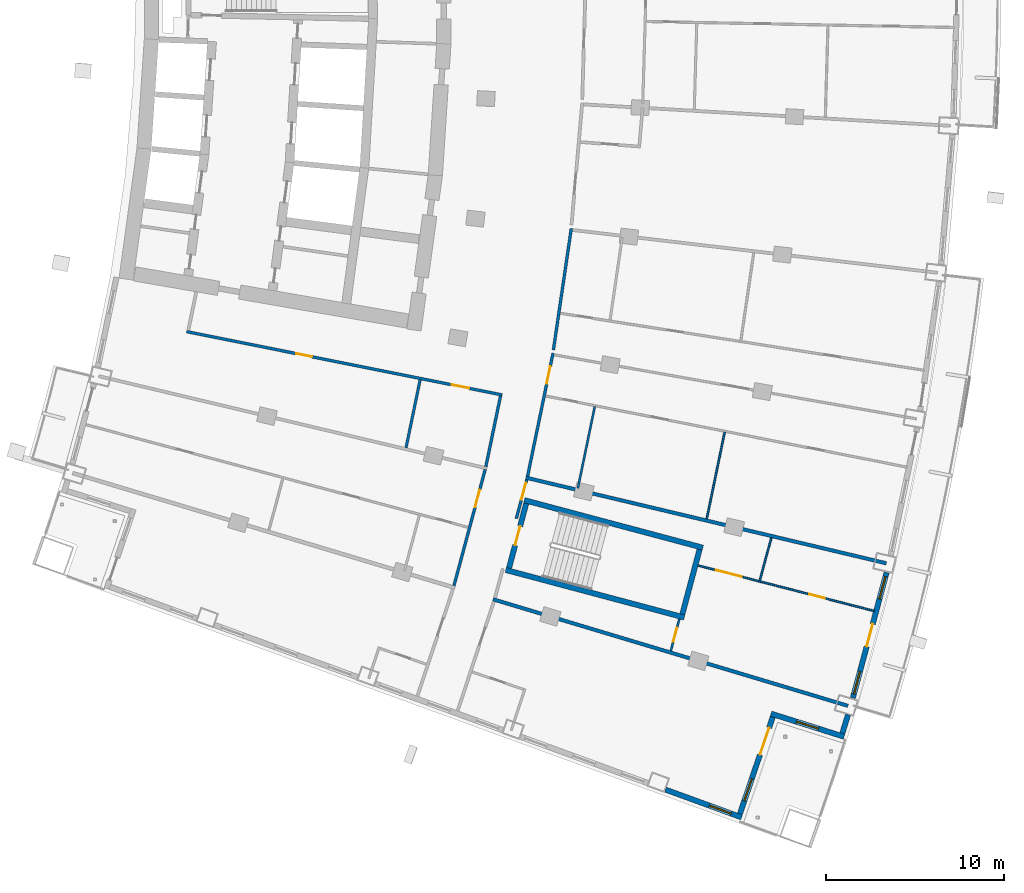
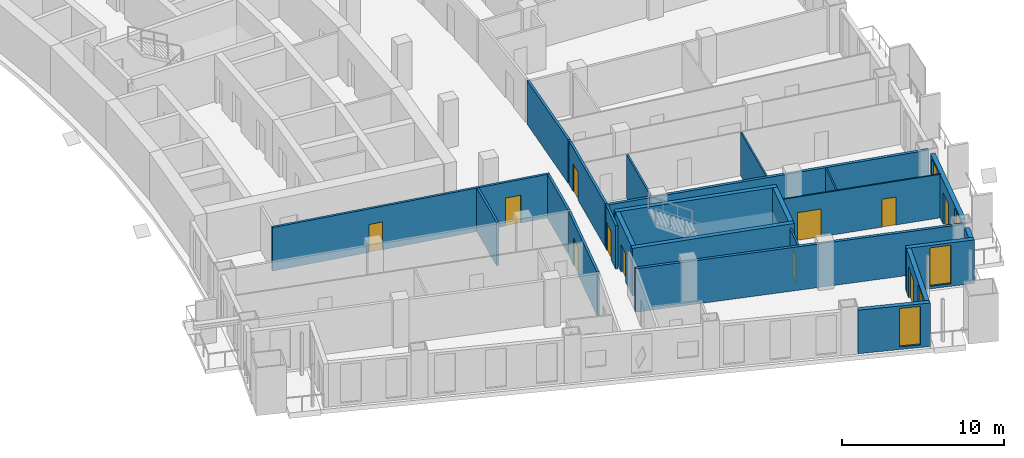
# One storey, part 14 of 25: 23 walls, 11 doors, 5 windows, 16 openings.
"""IFC4 building model written with IfcOpenShell, lengths in metres."""

from ifc_helpers import new_model, si_unit, direction, frame, frame_2d, origin, place, context, subcontext, project, spatial, rectangle, extrude, material, layer, layer_set, type_object, element, fill, save


model = new_model("IFC4")

# Units and contexts
model_context = context("Model", 3, precision=1e-05, world=origin(), true_north=direction((0.0, 1.0)))
body_context = subcontext(model_context, "Body", "Model", "MODEL_VIEW")
ifc_project = project(units=[si_unit("LENGTHUNIT", "METRE"), si_unit("AREAUNIT", "SQUARE_METRE"), si_unit("VOLUMEUNIT", "CUBIC_METRE"), si_unit("PLANEANGLEUNIT", "RADIAN"), si_unit("MASSUNIT", "GRAM", prefix="KILO")], contexts=[model_context])

# Site, building, storey
site_placement = place(None, origin())
site = spatial("IfcSite", under=ifc_project, at=site_placement, CompositionType="ELEMENT")
building_placement = place(site_placement, origin())
building = spatial("IfcBuilding", under=site, at=building_placement, Name="Alderwake Tower", CompositionType="ELEMENT")
storey_placement = place(building_placement, frame((0.0, 0.0, 89.60009765625)))
storey = spatial("IfcBuildingStorey", under=building, at=storey_placement, Name="L21", CompositionType="ELEMENT", Elevation=89.60009765625)

# Walls
ifc_material_1 = material(Name="Concrete C70/85", Category="concrete")
ifc_layer_1 = layer(ifc_material_1, 0.300048828125)
ifc_layer_set_1 = layer_set([ifc_layer_1], Name="Core wall stair enclosure 300 C70-85")
wall_type_1 = type_object("IfcWallType", Name="Core wall stair enclosure 300 C70-85", PredefinedType="SHEAR", material=ifc_layer_set_1)
for number, where, z_axis, x_axis, name in (
    (1, (37.75390625, 31.731201171875, 0.0), (0.0, 0.0, 1.0), (0.966309214305, -0.257383958996, 0.0), "Core wall CW.086"),
    (2, (36.71142578125, 27.817626953125, 0.0), (0.0, 0.0, 1.0), (0.966309214305, -0.257383958996, 0.0), "Core wall CW.088"),
):
    element("IfcWall", number, at=place(storey_placement, frame(where, z_axis=z_axis, x_axis=x_axis)), inside=storey, type_object=wall_type_1, Name=name, PredefinedType="SHEAR", context=body_context, shape_type="SweptSolid", body=[
        extrude(rectangle(XDim=10.360107421875, YDim=0.300048828125, at=frame_2d((5.18017578125, 0.0))), origin(), (0.0, 0.0, 1.0), 3.599853515625),
    ])

# Wall, opening, door
wall_1_placement = place(storey_placement, frame((36.89501953125, 27.923828125, 0.0), z_axis=(0.0, 0.0, 1.0), x_axis=(0.257350630826, 0.966318090907, 0.0)))
wall_1 = element("IfcWall", 3, at=wall_1_placement, inside=storey, type_object=wall_type_1, Name="Core wall CW.087", PredefinedType="SHEAR", context=body_context, shape_type="SweptSolid", body=[
    extrude(rectangle(XDim=3.75, YDim=0.300048828125, at=frame_2d((1.875, 0.0))), origin(), (0.0, 0.0, 1.0), 3.599853515625),
])
opening_1_placement = place(wall_1_placement, frame((1.324951171875, 0.0, 0.0)))
opening_1 = element("IfcOpeningElement", 4, at=opening_1_placement, cuts=wall_1, Name="Opening C065", PredefinedType="OPENING", context=body_context, shape_type="SweptSolid", body=[
    extrude(rectangle(XDim=1.10009765625, YDim=2.10009765625, at=frame_2d((0.550048828125, 1.050048828125))), frame((0.0, 0.159912109375, 0.0), z_axis=(0.0, -1.0, 0.0), x_axis=(1.0, 0.0, 0.0)), (0.0, 0.0, 1.0), 0.320068359375),
])
ifc_material_2 = material(Name="Steel-framed fire door leaf", Category="steel")
door_type_1 = type_object("IfcDoorType", Name="Core stair door 1100 fire-rated", OperationType="SINGLE_SWING_LEFT", PredefinedType="DOOR", material=ifc_material_2)
door_1_placement = place(opening_1_placement, origin())
door_1 = element("IfcDoor", 5, at=door_1_placement, inside=storey, type_object=door_type_1, Name="Stair door", OperationType="SINGLE_SWING_RIGHT", OverallHeight=2.10009765625, OverallWidth=1.10009765625, PredefinedType="DOOR", context=body_context, shape_type="SweptSolid", body=[
    extrude(rectangle(XDim=1.10009765625, YDim=2.10009765625, at=frame_2d((0.550048828125, 1.050048828125))), frame((0.0, 0.02490234375, 0.0), z_axis=(0.0, -1.0, 0.0), x_axis=(1.0, 0.0, 0.0)), (0.0, 0.0, 1.0), 0.050048828125),
])
fill(opening_1, door_1)

# Wall
wall_2_placement = place(storey_placement, frame((46.6162109375, 25.334716796875, 0.0), z_axis=(0.0, 0.0, 1.0), x_axis=(0.257366821694, 0.966313778796, 0.0)))
element("IfcWall", 6, at=wall_2_placement, inside=storey, type_object=wall_type_1, Name="Core wall CW.085", PredefinedType="SHEAR", context=body_context, shape_type="SweptSolid", body=[
    extrude(rectangle(XDim=3.749755859375, YDim=0.300048828125, at=frame_2d((1.875, 0.0))), origin(), (0.0, 0.0, 1.0), 3.599853515625),
])

# Wall, openings, doors
ifc_material_3 = material(Name="Gypsum board on metal studs, rated")
ifc_layer_2 = layer(ifc_material_3, 0.159912109375)
ifc_layer_set_2 = layer_set([ifc_layer_2], Name="Corridor wall 160")
wall_type_2 = type_object("IfcWallType", Name="Corridor wall 160", PredefinedType="PARTITIONING", material=ifc_layer_set_2)
wall_3_placement = place(storey_placement, frame((36.513427734375, 37.63427734375, 0.0), z_axis=(0.0, 0.0, 1.0), x_axis=(-0.980470254867, 0.1966674333, 0.0)))
wall_3 = element("IfcWall", 7, at=wall_3_placement, inside=storey, type_object=wall_type_2, Name="WL/L21/W17", PredefinedType="PARTITIONING", context=body_context, shape_type="SweptSolid", body=[
    extrude(rectangle(XDim=18.053466796875, YDim=0.159912109375, at=frame_2d((9.02685546875, 0.0))), origin(), (0.0, 0.0, 1.0), 3.27978515625),
])
opening_2_placement = place(wall_3_placement, frame((10.876708984375, 0.0, 0.0)))
opening_2 = element("IfcOpeningElement", 8, at=opening_2_placement, cuts=wall_3, Name="Opening R05-SBS1", PredefinedType="OPENING", context=body_context, shape_type="SweptSolid", body=[
    extrude(rectangle(XDim=0.89990234375, YDim=2.10009765625, at=frame_2d((0.449951171875, 1.050048828125))), frame((0.0, 0.08984375, 0.0), z_axis=(0.0, -1.0, 0.0), x_axis=(1.0, 0.0, 0.0)), (0.0, 0.0, 1.0), 0.179931640625),
])
opening_3_placement = place(wall_3_placement, frame((1.880615234375, 0.0, 0.0)))
opening_3 = element("IfcOpeningElement", 9, at=opening_3_placement, cuts=wall_3, Name="Opening R05-SBS2", PredefinedType="OPENING", context=body_context, shape_type="SweptSolid", body=[
    extrude(rectangle(XDim=1.0, YDim=2.10009765625, at=frame_2d((0.5, 1.050048828125))), frame((0.0, 0.08984375, 0.0), z_axis=(0.0, -1.0, 0.0), x_axis=(1.0, 0.0, 0.0)), (0.0, 0.0, 1.0), 0.179931640625),
])
ifc_material_4 = material(Name="Steel-framed fire door leaf", Category="steel")
door_type_2 = type_object("IfcDoorType", Name="Plant room door 1000 fire-rated", OperationType="SINGLE_SWING_LEFT", PredefinedType="DOOR", material=ifc_material_4)
door_2_placement = place(opening_3_placement, origin())
door_2 = element("IfcDoor", 10, at=door_2_placement, inside=storey, type_object=door_type_2, Name="DR/L21/SBS2", OperationType="SINGLE_SWING_LEFT", OverallHeight=2.10009765625, OverallWidth=1.0, PredefinedType="DOOR", context=body_context, shape_type="SweptSolid", body=[
    extrude(rectangle(XDim=1.0, YDim=2.10009765625, at=frame_2d((0.5, 1.050048828125))), frame((0.0, 0.02490234375, 0.0), z_axis=(0.0, -1.0, 0.0), x_axis=(1.0, 0.0, 0.0)), (0.0, 0.0, 1.0), 0.050048828125),
])
fill(opening_3, door_2)
ifc_material_5 = material(Name="Painted timber leaf", Category="wood")
door_type_3 = type_object("IfcDoorType", Name="Room door 900", OperationType="SINGLE_SWING_LEFT", PredefinedType="DOOR", material=ifc_material_5)
door_3_placement = place(opening_2_placement, origin())
door_3 = element("IfcDoor", 11, at=door_3_placement, inside=storey, type_object=door_type_3, Name="DR/L21/SBS1", OperationType="SINGLE_SWING_LEFT", OverallHeight=2.10009765625, OverallWidth=0.89990234375, PredefinedType="DOOR", context=body_context, shape_type="SweptSolid", body=[
    extrude(rectangle(XDim=0.89990234375, YDim=2.10009765625, at=frame_2d((0.449951171875, 1.050048828125))), frame((0.0, 0.02490234375, 0.0), z_axis=(0.0, -1.0, 0.0), x_axis=(1.0, 0.0, 0.0)), (0.0, 0.0, 1.0), 0.050048828125),
])
fill(opening_2, door_3)

# Wall, opening, door
wall_4_placement = place(storey_placement, frame((33.808837890625, 26.9345703125, 0.0), z_axis=(0.0, 0.0, 1.0), x_axis=(0.259298911818, 0.965797118618, 0.0)))
wall_4 = element("IfcWall", 12, at=wall_4_placement, inside=storey, type_object=wall_type_2, Name="WL/L21/W22", PredefinedType="PARTITIONING", context=body_context, shape_type="SweptSolid", body=[
    extrude(rectangle(XDim=6.75, YDim=0.159912109375, at=frame_2d((3.375, 0.0))), origin(), (0.0, 0.0, 1.0), 3.27978515625),
])
opening_4_placement = place(wall_4_placement, frame((4.5576171875, 0.0, 0.0)))
opening_4 = element("IfcOpeningElement", 13, at=opening_4_placement, cuts=wall_4, Name="Opening R05-U10.2", PredefinedType="OPENING", context=body_context, shape_type="SweptSolid", body=[
    extrude(rectangle(XDim=1.0, YDim=2.10009765625, at=frame_2d((0.5, 1.050048828125))), frame((0.0, 0.08984375, 0.0), z_axis=(0.0, -1.0, 0.0), x_axis=(1.0, 0.0, 0.0)), (0.0, 0.0, 1.0), 0.179931640625),
])
ifc_material_6 = material(Name="Solid timber leaf in steel frame", Category="steel")
door_type_4 = type_object("IfcDoorType", Name="Flat entrance door 1000 fire-rated", OperationType="SINGLE_SWING_LEFT", PredefinedType="DOOR", material=ifc_material_6)
door_4_placement = place(opening_4_placement, origin())
door_4 = element("IfcDoor", 14, at=door_4_placement, inside=storey, type_object=door_type_4, Name="DR/L21/U10.2", OperationType="SINGLE_SWING_LEFT", OverallHeight=2.10009765625, OverallWidth=1.0, PredefinedType="DOOR", context=body_context, shape_type="SweptSolid", body=[
    extrude(rectangle(XDim=1.0, YDim=2.10009765625, at=frame_2d((0.5, 1.050048828125))), frame((0.0, 0.02490234375, 0.0), z_axis=(0.0, -1.0, 0.0), x_axis=(1.0, 0.0, 0.0)), (0.0, 0.0, 1.0), 0.050048828125),
])
fill(opening_4, door_4)

# Wall
wall_5_placement = place(storey_placement, frame((36.418701171875, 37.57177734375, 0.0), z_axis=(0.0, 0.0, 1.0), x_axis=(-0.203245920818, -0.979127721838, 0.0)))
element("IfcWall", 15, at=wall_5_placement, inside=storey, type_object=wall_type_2, Name="WL/L21/W28", PredefinedType="PARTITIONING", context=body_context, shape_type="SweptSolid", body=[
    extrude(rectangle(XDim=4.046875, YDim=0.159912109375, at=frame_2d((2.0234375, 0.0))), origin(), (0.0, 0.0, 1.0), 3.27978515625),
])

# Wall, opening, door
wall_6_placement = place(storey_placement, frame((37.89111328125, 32.87939453125, 0.0), z_axis=(0.0, 0.0, 1.0), x_axis=(-0.259620578816, -0.965710699462, 0.0)))
wall_6 = element("IfcWall", 16, at=wall_6_placement, inside=storey, type_object=wall_type_2, Name="WL/L21/W31", PredefinedType="PARTITIONING", context=body_context, shape_type="SweptSolid", body=[
    extrude(rectangle(XDim=2.2578125, YDim=0.159912109375, at=frame_2d((1.12890625, 0.0))), origin(), (0.0, 0.0, 1.0), 3.27978515625),
])
opening_5_placement = place(wall_6_placement, frame((0.1708984375, 0.0, 0.0)))
opening_5 = element("IfcOpeningElement", 17, at=opening_5_placement, cuts=wall_6, Name="Opening R05-U01.1", PredefinedType="OPENING", context=body_context, shape_type="SweptSolid", body=[
    extrude(rectangle(XDim=1.0, YDim=2.10009765625, at=frame_2d((0.5, 1.050048828125))), frame((0.0, 0.08984375, 0.0), z_axis=(0.0, -1.0, 0.0), x_axis=(1.0, 0.0, 0.0)), (0.0, 0.0, 1.0), 0.179931640625),
])
door_5_placement = place(opening_5_placement, origin())
door_5 = element("IfcDoor", 18, at=door_5_placement, inside=storey, type_object=door_type_4, Name="DR/L21/U01.1", OperationType="SINGLE_SWING_LEFT", OverallHeight=2.10009765625, OverallWidth=1.0, PredefinedType="DOOR", context=body_context, shape_type="SweptSolid", body=[
    extrude(rectangle(XDim=1.0, YDim=2.10009765625, at=frame_2d((0.5, 1.050048828125))), frame((0.0, 0.02490234375, 0.0), z_axis=(0.0, -1.0, 0.0), x_axis=(1.0, 0.0, 0.0)), (0.0, 0.0, 1.0), 0.050048828125),
])
fill(opening_5, door_5)

wall_7_placement = place(storey_placement, frame((39.3642578125, 39.975341796875, 0.0), z_axis=(0.0, 0.0, 1.0), x_axis=(-0.202487611378, -0.979284824368, 0.0)))
wall_7 = element("IfcWall", 19, at=wall_7_placement, inside=storey, type_object=wall_type_2, Name="WL/L21/W32", PredefinedType="PARTITIONING", context=body_context, shape_type="SweptSolid", body=[
    extrude(rectangle(XDim=7.04736328125, YDim=0.159912109375, at=frame_2d((3.523681640625, 0.0))), origin(), (0.0, 0.0, 1.0), 3.27978515625),
])
opening_6_placement = place(wall_7_placement, frame((0.7568359375, 0.0, 0.0)))
opening_6 = element("IfcOpeningElement", 20, at=opening_6_placement, cuts=wall_7, Name="Opening R05-U05.2", PredefinedType="OPENING", context=body_context, shape_type="SweptSolid", body=[
    extrude(rectangle(XDim=1.0, YDim=2.10009765625, at=frame_2d((0.5, 1.050048828125))), frame((0.0, 0.08984375, 0.0), z_axis=(0.0, -1.0, 0.0), x_axis=(1.0, 0.0, 0.0)), (0.0, 0.0, 1.0), 0.179931640625),
])
door_6_placement = place(opening_6_placement, origin())
door_6 = element("IfcDoor", 21, at=door_6_placement, inside=storey, type_object=door_type_4, Name="DR/L21/U05.2", OperationType="SINGLE_SWING_LEFT", OverallHeight=2.10009765625, OverallWidth=1.0, PredefinedType="DOOR", context=body_context, shape_type="SweptSolid", body=[
    extrude(rectangle(XDim=1.0, YDim=2.10009765625, at=frame_2d((0.5, 1.050048828125))), frame((0.0, 0.02490234375, 0.0), z_axis=(0.0, -1.0, 0.0), x_axis=(1.0, 0.0, 0.0)), (0.0, 0.0, 1.0), 0.050048828125),
])
fill(opening_6, door_6)

# Walls
wall_8_placement = place(storey_placement, frame((39.38671875, 40.160888671875, 0.0), z_axis=(0.0, 0.0, 1.0), x_axis=(0.145535848078, 0.989352978933, 0.0)))
element("IfcWall", 22, at=wall_8_placement, inside=storey, type_object=wall_type_2, Name="WL/L21/W34", PredefinedType="PARTITIONING", context=body_context, shape_type="SweptSolid", body=[
    extrude(rectangle(XDim=6.884521484375, YDim=0.159912109375, at=frame_2d((3.4423828125, 0.0))), origin(), (0.0, 0.0, 1.0), 3.27978515625),
])
ifc_material_7 = material(Name="Precast concrete C50/60 spandrel panel", Category="concrete")
ifc_layer_3 = layer(ifc_material_7, 0.300048828125)
ifc_layer_set_3 = layer_set([ifc_layer_3], Name="External wall EW1 Precast concrete C50/60 spandrel")
wall_type_3 = type_object("IfcWallType", Name="External wall EW1 Precast concrete C50/60 spandrel", PredefinedType="SOLIDWALL", material=ifc_layer_set_3)
wall_9_placement = place(storey_placement, frame((55.587890625, 18.65185546875, 0.0), z_axis=(0.0, 0.0, 1.0), x_axis=(0.294384726771, 0.955686995121, 0.0)))
element("IfcWall", 23, at=wall_9_placement, inside=storey, type_object=wall_type_3, Name="External wall 11", PredefinedType="SOLIDWALL", context=body_context, shape_type="SweptSolid", body=[
    extrude(rectangle(XDim=1.090576171875, YDim=0.300048828125, at=frame_2d((0.54541015625, 0.0))), origin(), (0.0, 0.0, 1.0), 3.27978515625),
])

# Wall, openings, door, windows
wall_10_placement = place(storey_placement, frame((56.18017578125, 20.635498046875, 0.0), z_axis=(0.0, 0.0, 1.0), x_axis=(0.259478431082, 0.965748903082, 0.0)))
wall_10 = element("IfcWall", 24, at=wall_10_placement, inside=storey, type_object=wall_type_3, Name="External wall 12", PredefinedType="SOLIDWALL", context=body_context, shape_type="SweptSolid", body=[
    extrude(rectangle(XDim=7.287109375, YDim=0.300048828125, at=frame_2d((3.6435546875, 0.0))), origin(), (0.0, 0.0, 1.0), 3.27978515625),
])
opening_7_placement = place(wall_10_placement, frame((0.23681640625, 0.0, 0.199951171875)))
opening_7 = element("IfcOpeningElement", 25, at=opening_7_placement, cuts=wall_10, Name="Opening W1", PredefinedType="OPENING", context=body_context, shape_type="SweptSolid", body=[
    extrude(rectangle(XDim=1.300048828125, YDim=2.89990234375, at=frame_2d((0.64990234375, 1.449951171875))), frame((0.0, 0.159912109375, 0.0), z_axis=(0.0, -1.0, 0.0), x_axis=(1.0, 0.0, 0.0)), (0.0, 0.0, 1.0), 0.320068359375),
])
opening_8_placement = place(wall_10_placement, frame((2.99365234375, 0.0, 0.0)))
opening_8 = element("IfcOpeningElement", 26, at=opening_8_placement, cuts=wall_10, Name="Opening D03", PredefinedType="OPENING", context=body_context, shape_type="SweptSolid", body=[
    extrude(rectangle(XDim=1.300048828125, YDim=2.39990234375, at=frame_2d((0.64990234375, 1.199951171875))), frame((0.0, 0.159912109375, 0.0), z_axis=(0.0, -1.0, 0.0), x_axis=(1.0, 0.0, 0.0)), (0.0, 0.0, 1.0), 0.320068359375),
])
opening_9_placement = place(wall_10_placement, frame((5.75048828125, 0.0, 0.199951171875)))
opening_9 = element("IfcOpeningElement", 27, at=opening_9_placement, cuts=wall_10, Name="Opening W1", PredefinedType="OPENING", context=body_context, shape_type="SweptSolid", body=[
    extrude(rectangle(XDim=1.300048828125, YDim=2.89990234375, at=frame_2d((0.64990234375, 1.449951171875))), frame((0.0, 0.159912109375, 0.0), z_axis=(0.0, -1.0, 0.0), x_axis=(1.0, 0.0, 0.0)), (0.0, 0.0, 1.0), 0.320068359375),
])
ifc_material_8 = material(Name="Bronze tinted glass in aluminium frame", Category="aluminium")
door_type_5 = type_object("IfcDoorType", Name="Balcony door BD sliding", OperationType="SLIDING_TO_LEFT", PredefinedType="DOOR", material=ifc_material_8)
door_7_placement = place(opening_8_placement, origin())
door_7 = element("IfcDoor", 28, at=door_7_placement, inside=storey, type_object=door_type_5, Name="Door D03", OperationType="SLIDING_TO_LEFT", OverallHeight=2.39990234375, OverallWidth=1.300048828125, PredefinedType="DOOR", context=body_context, shape_type="SweptSolid", body=[
    extrude(rectangle(XDim=1.300048828125, YDim=2.39990234375, at=frame_2d((0.64990234375, 1.199951171875))), frame((0.0, 0.02490234375, 0.0), z_axis=(0.0, -1.0, 0.0), x_axis=(1.0, 0.0, 0.0)), (0.0, 0.0, 1.0), 0.050048828125),
])
fill(opening_8, door_7)
ifc_material_9 = material(Name="Bronze tinted glass in aluminium frame", Category="aluminium")
window_type = type_object("IfcWindowType", Name="Window W1 tall fixed and vent", PartitioningType="DOUBLE_PANEL_VERTICAL", PredefinedType="WINDOW", material=ifc_material_9)
window_1_placement = place(opening_7_placement, origin())
window_1 = element("IfcWindow", 29, at=window_1_placement, inside=storey, type_object=window_type, Name="Window W1 tall fixed and vent", OverallHeight=2.89990234375, OverallWidth=1.300048828125, PartitioningType="DOUBLE_PANEL_VERTICAL", PredefinedType="WINDOW", context=body_context, shape_type="SweptSolid", body=[
    extrude(rectangle(XDim=1.300048828125, YDim=2.89990234375, at=frame_2d((0.64990234375, 1.449951171875))), frame((0.0, 0.030029296875, 0.0), z_axis=(0.0, -1.0, 0.0), x_axis=(1.0, 0.0, 0.0)), (0.0, 0.0, 1.0), 0.06005859375),
])
fill(opening_7, window_1)
window_2_placement = place(opening_9_placement, origin())
window_2 = element("IfcWindow", 30, at=window_2_placement, inside=storey, type_object=window_type, Name="Window W1 tall fixed and vent", OverallHeight=2.89990234375, OverallWidth=1.300048828125, PartitioningType="DOUBLE_PANEL_VERTICAL", PredefinedType="WINDOW", context=body_context, shape_type="SweptSolid", body=[
    extrude(rectangle(XDim=1.300048828125, YDim=2.89990234375, at=frame_2d((0.64990234375, 1.449951171875))), frame((0.0, 0.030029296875, 0.0), z_axis=(0.0, -1.0, 0.0), x_axis=(1.0, 0.0, 0.0)), (0.0, 0.0, 1.0), 0.06005859375),
])
fill(opening_9, window_2)

# Wall, opening, window
ifc_material_10 = material(Name="Bronze metal cladding on lightweight framing")
ifc_layer_4 = layer(ifc_material_10, 0.300048828125)
ifc_layer_set_4 = layer_set([ifc_layer_4], Name="External wall EW2 bronze metal cladding")
wall_type_4 = type_object("IfcWallType", Name="External wall EW2 bronze metal cladding", PredefinedType="SOLIDWALL", material=ifc_layer_set_4)
wall_11_placement = place(storey_placement, frame((45.675537109375, 15.49755859375, 0.0), z_axis=(0.0, 0.0, 1.0), x_axis=(0.939362271598, -0.342926410032, 0.0)))
wall_11 = element("IfcWall", 31, at=wall_11_placement, inside=storey, type_object=wall_type_4, Name="External wall 8", PredefinedType="SOLIDWALL", context=body_context, shape_type="SweptSolid", body=[
    extrude(rectangle(XDim=4.537841796875, YDim=0.300048828125, at=frame_2d((2.26904296875, 0.0))), origin(), (0.0, 0.0, 1.0), 3.27978515625),
])
opening_10_placement = place(wall_11_placement, frame((2.62158203125, 0.0, 0.199951171875)))
opening_10 = element("IfcOpeningElement", 32, at=opening_10_placement, cuts=wall_11, Name="Opening W1", PredefinedType="OPENING", context=body_context, shape_type="SweptSolid", body=[
    extrude(rectangle(XDim=1.300048828125, YDim=2.89990234375, at=frame_2d((0.64990234375, 1.449951171875))), frame((0.0, 0.159912109375, 0.0), z_axis=(0.0, -1.0, 0.0), x_axis=(1.0, 0.0, 0.0)), (0.0, 0.0, 1.0), 0.320068359375),
])
window_3_placement = place(opening_10_placement, origin())
window_3 = element("IfcWindow", 33, at=window_3_placement, inside=storey, type_object=window_type, Name="Window W1 tall fixed and vent", OverallHeight=2.89990234375, OverallWidth=1.300048828125, PartitioningType="DOUBLE_PANEL_VERTICAL", PredefinedType="WINDOW", context=body_context, shape_type="SweptSolid", body=[
    extrude(rectangle(XDim=1.300048828125, YDim=2.89990234375, at=frame_2d((0.64990234375, 1.449951171875))), frame((0.0, 0.030029296875, 0.0), z_axis=(0.0, -1.0, 0.0), x_axis=(1.0, 0.0, 0.0)), (0.0, 0.0, 1.0), 0.06005859375),
])
fill(opening_10, window_3)

# Wall, openings, door, window
wall_12_placement = place(storey_placement, frame((49.845458984375, 14.135009765625, 0.0), z_axis=(0.0, 0.0, 1.0), x_axis=(0.320869198021, 0.94712351769, 0.0)))
wall_12 = element("IfcWall", 34, at=wall_12_placement, inside=storey, type_object=wall_type_4, Name="External wall 9", PredefinedType="SOLIDWALL", context=body_context, shape_type="SweptSolid", body=[
    extrude(rectangle(XDim=5.7392578125, YDim=0.300048828125, at=frame_2d((2.86962890625, 0.0))), origin(), (0.0, 0.0, 1.0), 3.27978515625),
])
opening_11_placement = place(wall_12_placement, frame((0.784912109375, 0.0, 0.199951171875)))
opening_11 = element("IfcOpeningElement", 35, at=opening_11_placement, cuts=wall_12, Name="Opening W1", PredefinedType="OPENING", context=body_context, shape_type="SweptSolid", body=[
    extrude(rectangle(XDim=1.300048828125, YDim=2.89990234375, at=frame_2d((0.64990234375, 1.449951171875))), frame((0.0, 0.159912109375, 0.0), z_axis=(0.0, -1.0, 0.0), x_axis=(1.0, 0.0, 0.0)), (0.0, 0.0, 1.0), 0.320068359375),
])
opening_12_placement = place(wall_12_placement, frame((3.50439453125, 0.0, 0.0)))
opening_12 = element("IfcOpeningElement", 36, at=opening_12_placement, cuts=wall_12, Name="Opening D02", PredefinedType="OPENING", context=body_context, shape_type="SweptSolid", body=[
    extrude(rectangle(XDim=1.60009765625, YDim=2.39990234375, at=frame_2d((0.800048828125, 1.199951171875))), frame((0.0, 0.159912109375, 0.0), z_axis=(0.0, -1.0, 0.0), x_axis=(1.0, 0.0, 0.0)), (0.0, 0.0, 1.0), 0.320068359375),
])
ifc_material_11 = material(Name="Bronze tinted glass in aluminium frame", Category="aluminium")
door_type_6 = type_object("IfcDoorType", Name="Terrace door TD sliding", OperationType="SLIDING_TO_LEFT", PredefinedType="DOOR", material=ifc_material_11)
door_8_placement = place(opening_12_placement, origin())
door_8 = element("IfcDoor", 37, at=door_8_placement, inside=storey, type_object=door_type_6, Name="Door D02", OperationType="SLIDING_TO_LEFT", OverallHeight=2.39990234375, OverallWidth=1.60009765625, PredefinedType="DOOR", context=body_context, shape_type="SweptSolid", body=[
    extrude(rectangle(XDim=1.60009765625, YDim=2.39990234375, at=frame_2d((0.800048828125, 1.199951171875))), frame((0.0, 0.02490234375, 0.0), z_axis=(0.0, -1.0, 0.0), x_axis=(1.0, 0.0, 0.0)), (0.0, 0.0, 1.0), 0.050048828125),
])
fill(opening_12, door_8)
window_4_placement = place(opening_11_placement, origin())
window_4 = element("IfcWindow", 38, at=window_4_placement, inside=storey, type_object=window_type, Name="Window W1 tall fixed and vent", OverallHeight=2.89990234375, OverallWidth=1.300048828125, PartitioningType="DOUBLE_PANEL_VERTICAL", PredefinedType="WINDOW", context=body_context, shape_type="SweptSolid", body=[
    extrude(rectangle(XDim=1.300048828125, YDim=2.89990234375, at=frame_2d((0.64990234375, 1.449951171875))), frame((0.0, 0.030029296875, 0.0), z_axis=(0.0, -1.0, 0.0), x_axis=(1.0, 0.0, 0.0)), (0.0, 0.0, 1.0), 0.06005859375),
])
fill(opening_11, window_4)

# Wall, opening, window
wall_13_placement = place(storey_placement, frame((51.592041015625, 19.758056640625, 0.0), z_axis=(0.0, 0.0, 1.0), x_axis=(0.95345886453, -0.301523122911, 0.0)))
wall_13 = element("IfcWall", 39, at=wall_13_placement, inside=storey, type_object=wall_type_4, Name="External wall 10", PredefinedType="SOLIDWALL", context=body_context, shape_type="SweptSolid", body=[
    extrude(rectangle(XDim=4.294677734375, YDim=0.300048828125, at=frame_2d((2.1474609375, 0.0))), origin(), (0.0, 0.0, 1.0), 3.27978515625),
])
opening_13_placement = place(wall_13_placement, frame((1.497314453125, 0.0, 0.199951171875)))
opening_13 = element("IfcOpeningElement", 40, at=opening_13_placement, cuts=wall_13, Name="Opening W1", PredefinedType="OPENING", context=body_context, shape_type="SweptSolid", body=[
    extrude(rectangle(XDim=1.300048828125, YDim=2.89990234375, at=frame_2d((0.64990234375, 1.449951171875))), frame((0.0, 0.159912109375, 0.0), z_axis=(0.0, -1.0, 0.0), x_axis=(1.0, 0.0, 0.0)), (0.0, 0.0, 1.0), 0.320068359375),
])
window_5_placement = place(opening_13_placement, origin())
window_5 = element("IfcWindow", 41, at=window_5_placement, inside=storey, type_object=window_type, Name="Window W1 tall fixed and vent", OverallHeight=2.89990234375, OverallWidth=1.300048828125, PartitioningType="DOUBLE_PANEL_VERTICAL", PredefinedType="WINDOW", context=body_context, shape_type="SweptSolid", body=[
    extrude(rectangle(XDim=1.300048828125, YDim=2.89990234375, at=frame_2d((0.64990234375, 1.449951171875))), frame((0.0, 0.030029296875, 0.0), z_axis=(0.0, -1.0, 0.0), x_axis=(1.0, 0.0, 0.0)), (0.0, 0.0, 1.0), 0.06005859375),
])
fill(opening_13, window_5)

# Walls
ifc_material_12 = material(Name="Dense block masonry wall", Category="masonry")
ifc_layer_5 = layer(ifc_material_12, 0.199951171875)
ifc_layer_set_5 = layer_set([ifc_layer_5], Name="Party wall 200")
wall_type_5 = type_object("IfcWallType", Name="Party wall 200", PredefinedType="SOLIDWALL", material=ifc_layer_set_5)
wall_14_placement = place(storey_placement, frame((36.00439453125, 26.1708984375, 0.0), z_axis=(0.0, 0.0, 1.0), x_axis=(0.957776151967, -0.287514943479, 0.0)))
element("IfcWall", 42, at=wall_14_placement, inside=storey, type_object=wall_type_5, Name="WL/L21/W05", PredefinedType="SOLIDWALL", context=body_context, shape_type="SweptSolid", body=[
    extrude(rectangle(XDim=20.781005859375, YDim=0.199951171875, at=frame_2d((10.390625, 0.0))), origin(), (0.0, 0.0, 1.0), 3.27978515625),
])
wall_15_placement = place(storey_placement, frame((37.839111328125, 32.994384765625, 0.0), z_axis=(0.0, 0.0, 1.0), x_axis=(0.972915151152, -0.231162515686, 0.0)))
element("IfcWall", 43, at=wall_15_placement, inside=storey, type_object=wall_type_5, Name="WL/L21/W06", PredefinedType="SOLIDWALL", context=body_context, shape_type="SweptSolid", body=[
    extrude(rectangle(XDim=20.779541015625, YDim=0.199951171875, at=frame_2d((10.3896484375, 0.0))), origin(), (0.0, 0.0, 1.0), 3.27978515625),
])
ifc_material_13 = material(Name="Gypsum shaft wall system, rated")
ifc_layer_6 = layer(ifc_material_13, 0.14990234375)
ifc_layer_set_6 = layer_set([ifc_layer_6], Name="Riser and shaft wall 150")
wall_type_6 = type_object("IfcWallType", Name="Riser and shaft wall 150", PredefinedType="PARTITIONING", material=ifc_layer_set_6)
wall_16_placement = place(storey_placement, frame((31.120361328125, 34.67138671875, 0.0), z_axis=(0.0, 0.0, 1.0), x_axis=(0.203103989328, 0.979157173042, 0.0)))
element("IfcWall", 44, at=wall_16_placement, inside=storey, type_object=wall_type_6, Name="WL/L21/W11", PredefinedType="PARTITIONING", context=body_context, shape_type="SweptSolid", body=[
    extrude(rectangle(XDim=3.887451171875, YDim=0.14990234375, at=frame_2d((1.94384765625, 0.0))), origin(), (0.0, 0.0, 1.0), 3.27978515625),
])

# Wall, openings, doors
ifc_material_14 = material(Name="Gypsum board on metal studs")
ifc_layer_7 = layer(ifc_material_14, 0.10009765625)
ifc_layer_set_7 = layer_set([ifc_layer_7], Name="Unit partition 100")
wall_type_7 = type_object("IfcWallType", Name="Unit partition 100", PredefinedType="PARTITIONING", material=ifc_layer_set_7)
wall_17_placement = place(storey_placement, frame((57.386962890625, 25.511962890625, 0.0), z_axis=(0.0, 0.0, 1.0), x_axis=(-0.968172383403, 0.250284310368, 0.0)))
wall_17 = element("IfcWall", 45, at=wall_17_placement, inside=storey, type_object=wall_type_7, Name="WL/L21/W74", PredefinedType="PARTITIONING", context=body_context, shape_type="SweptSolid", body=[
    extrude(rectangle(XDim=10.212890625, YDim=0.10009765625, at=frame_2d((5.1064453125, 0.0))), origin(), (0.0, 0.0, 1.0), 3.27978515625),
])
opening_14_placement = place(wall_17_placement, frame((7.680908203125, 0.0, 0.0)))
opening_14 = element("IfcOpeningElement", 46, at=opening_14_placement, cuts=wall_17, Name="Opening R05-U01.2", PredefinedType="OPENING", context=body_context, shape_type="SweptSolid", body=[
    extrude(rectangle(XDim=1.5, YDim=2.10009765625, at=frame_2d((0.75, 1.050048828125))), frame((0.0, 0.06005859375, 0.0), z_axis=(0.0, -1.0, 0.0), x_axis=(1.0, 0.0, 0.0)), (0.0, 0.0, 1.0), 0.1201171875),
])
opening_15_placement = place(wall_17_placement, frame((2.874755859375, 0.0, 0.0)))
opening_15 = element("IfcOpeningElement", 47, at=opening_15_placement, cuts=wall_17, Name="Opening R05-U01.3", PredefinedType="OPENING", context=body_context, shape_type="SweptSolid", body=[
    extrude(rectangle(XDim=0.89990234375, YDim=2.10009765625, at=frame_2d((0.449951171875, 1.050048828125))), frame((0.0, 0.06005859375, 0.0), z_axis=(0.0, -1.0, 0.0), x_axis=(1.0, 0.0, 0.0)), (0.0, 0.0, 1.0), 0.1201171875),
])
ifc_material_15 = material(Name="Painted timber leaves", Category="wood")
door_type_7 = type_object("IfcDoorType", Name="Double leaf door 1500", OperationType="DOUBLE_DOOR_SINGLE_SWING", PredefinedType="DOOR", material=ifc_material_15)
door_9_placement = place(opening_14_placement, origin())
door_9 = element("IfcDoor", 48, at=door_9_placement, inside=storey, type_object=door_type_7, Name="DR/L21/U01.2", OperationType="DOUBLE_DOOR_SINGLE_SWING", OverallHeight=2.10009765625, OverallWidth=1.5, PredefinedType="DOOR", context=body_context, shape_type="SweptSolid", body=[
    extrude(rectangle(XDim=1.5, YDim=2.10009765625, at=frame_2d((0.75, 1.050048828125))), frame((0.0, 0.02490234375, 0.0), z_axis=(0.0, -1.0, 0.0), x_axis=(1.0, 0.0, 0.0)), (0.0, 0.0, 1.0), 0.050048828125),
])
fill(opening_14, door_9)
door_10_placement = place(opening_15_placement, origin())
door_10 = element("IfcDoor", 49, at=door_10_placement, inside=storey, type_object=door_type_3, Name="DR/L21/U01.3", OperationType="SINGLE_SWING_LEFT", OverallHeight=2.10009765625, OverallWidth=0.89990234375, PredefinedType="DOOR", context=body_context, shape_type="SweptSolid", body=[
    extrude(rectangle(XDim=0.89990234375, YDim=2.10009765625, at=frame_2d((0.449951171875, 1.050048828125))), frame((0.0, 0.02490234375, 0.0), z_axis=(0.0, -1.0, 0.0), x_axis=(1.0, 0.0, 0.0)), (0.0, 0.0, 1.0), 0.050048828125),
])
fill(opening_15, door_10)

# Walls
wall_18_placement = place(storey_placement, frame((47.984375, 30.68603515625, 0.0), z_axis=(0.0, 0.0, 1.0), x_axis=(0.202960188958, 0.97918699016, 0.0)))
element("IfcWall", 50, at=wall_18_placement, inside=storey, type_object=wall_type_7, Name="WL/L21/W76", PredefinedType="PARTITIONING", context=body_context, shape_type="SweptSolid", body=[
    extrude(rectangle(XDim=4.963134765625, YDim=0.10009765625, at=frame_2d((2.4814453125, 0.0))), origin(), (0.0, 0.0, 1.0), 3.27978515625),
])
wall_19_placement = place(storey_placement, frame((50.9619140625, 27.225341796875, 0.0), z_axis=(0.0, 0.0, 1.0), x_axis=(0.260249003849, 0.965541535096, 0.0)))
element("IfcWall", 51, at=wall_19_placement, inside=storey, type_object=wall_type_7, Name="WL/L21/W80", PredefinedType="PARTITIONING", context=body_context, shape_type="SweptSolid", body=[
    extrude(rectangle(XDim=2.478515625, YDim=0.10009765625, at=frame_2d((1.2392578125, 0.0))), origin(), (0.0, 0.0, 1.0), 3.27978515625),
])
ifc_material_16 = material(Name="Moisture resistant gypsum board on metal studs")
ifc_layer_8 = layer(ifc_material_16, 0.1201171875)
ifc_layer_set_8 = layer_set([ifc_layer_8], Name="Wet room partition 120")
wall_type_8 = type_object("IfcWallType", Name="Wet room partition 120", PredefinedType="PARTITIONING", material=ifc_layer_set_8)
wall_20_placement = place(storey_placement, frame((40.75732421875, 32.402099609375, 0.0), z_axis=(0.0, 0.0, 1.0), x_axis=(0.202555554597, 0.97927077323, 0.0)))
element("IfcWall", 52, at=wall_20_placement, inside=storey, type_object=wall_type_8, Name="WL/L21/W54", PredefinedType="PARTITIONING", context=body_context, shape_type="SweptSolid", body=[
    extrude(rectangle(XDim=4.677734375, YDim=0.1201171875, at=frame_2d((2.3388671875, 0.0))), origin(), (0.0, 0.0, 1.0), 3.27978515625),
])

# Wall, opening, door
wall_21_placement = place(storey_placement, frame((45.970947265625, 23.28369140625, 0.0), z_axis=(0.0, 0.0, 1.0), x_axis=(0.258764710752, 0.965940383497, 0.0)))
wall_21 = element("IfcWall", 53, at=wall_21_placement, inside=storey, type_object=wall_type_8, Name="WL/L21/W62", PredefinedType="PARTITIONING", context=body_context, shape_type="SweptSolid", body=[
    extrude(rectangle(XDim=1.847412109375, YDim=0.1201171875, at=frame_2d((0.923828125, 0.0))), origin(), (0.0, 0.0, 1.0), 3.27978515625),
])
opening_16_placement = place(wall_21_placement, frame((0.523681640625, 0.0, 0.0)))
opening_16 = element("IfcOpeningElement", 54, at=opening_16_placement, cuts=wall_21, Name="Opening R05-U01.4", PredefinedType="OPENING", context=body_context, shape_type="SweptSolid", body=[
    extrude(rectangle(XDim=0.800048828125, YDim=2.10009765625, at=frame_2d((0.39990234375, 1.050048828125))), frame((0.0, 0.070068359375, 0.0), z_axis=(0.0, -1.0, 0.0), x_axis=(1.0, 0.0, 0.0)), (0.0, 0.0, 1.0), 0.14013671875),
])
ifc_material_17 = material(Name="Painted timber leaf", Category="wood")
door_type_8 = type_object("IfcDoorType", Name="Bathroom door 800", OperationType="SINGLE_SWING_LEFT", PredefinedType="DOOR", material=ifc_material_17)
door_11_placement = place(opening_16_placement, origin())
door_11 = element("IfcDoor", 55, at=door_11_placement, inside=storey, type_object=door_type_8, Name="DR/L21/U01.4", OperationType="SINGLE_SWING_LEFT", OverallHeight=2.10009765625, OverallWidth=0.800048828125, PredefinedType="DOOR", context=body_context, shape_type="SweptSolid", body=[
    extrude(rectangle(XDim=0.800048828125, YDim=2.10009765625, at=frame_2d((0.39990234375, 1.050048828125))), frame((0.0, 0.02490234375, 0.0), z_axis=(0.0, -1.0, 0.0), x_axis=(1.0, 0.0, 0.0)), (0.0, 0.0, 1.0), 0.050048828125),
])
fill(opening_16, door_11)

save(model, "model.ifc")
